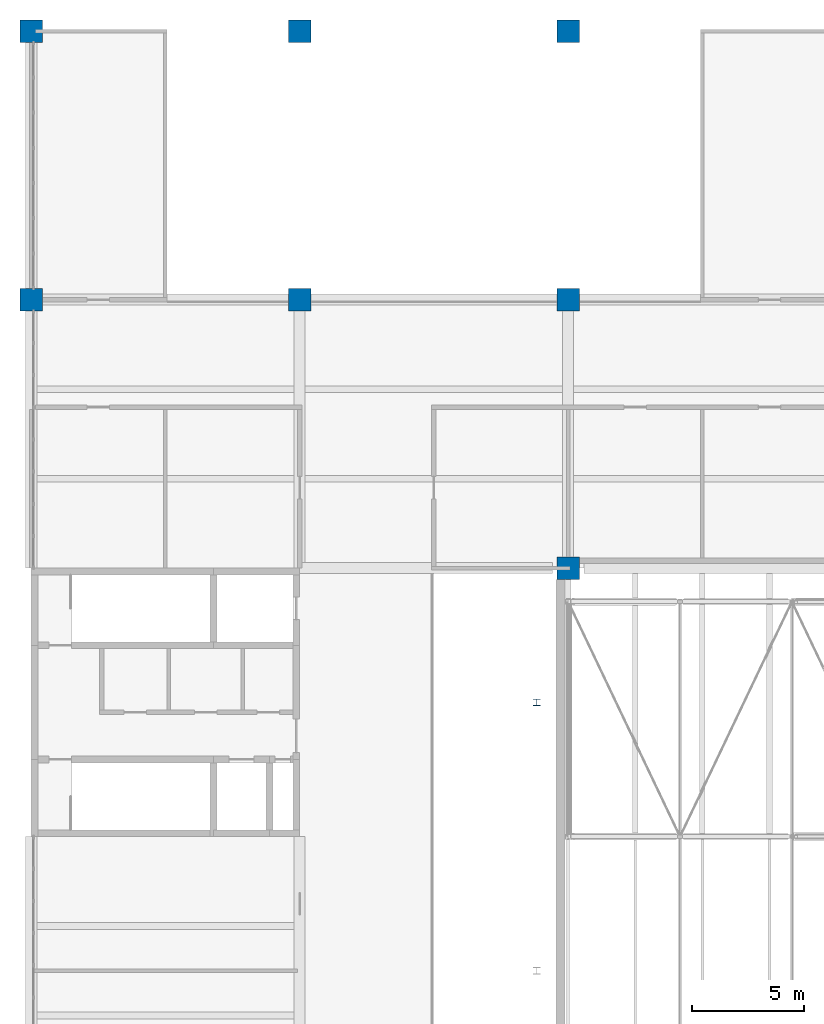
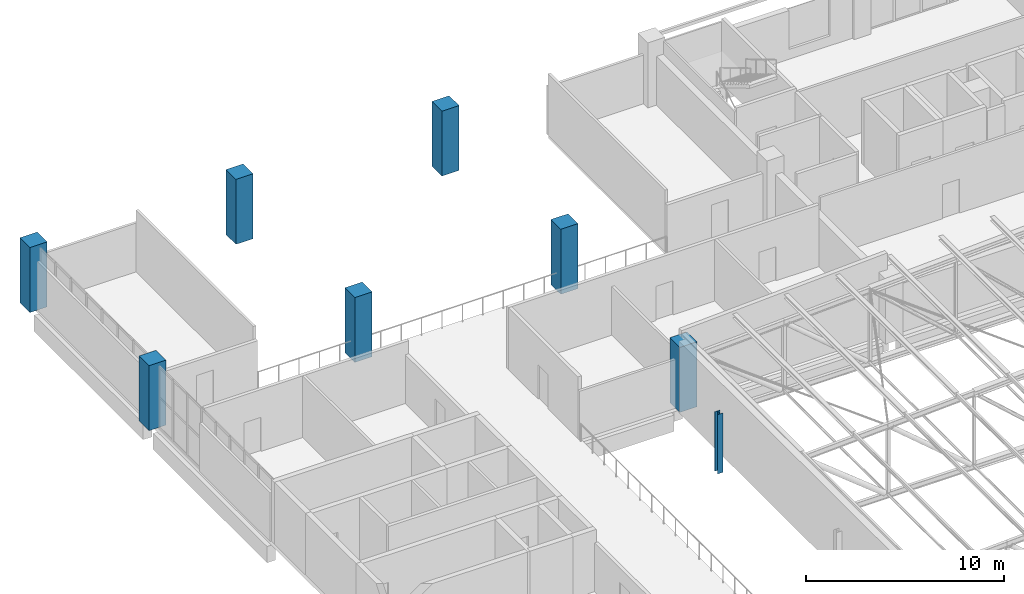
# One storey, part 6 of 156: 8 columns.
"""IFC4 building model written with IfcOpenShell, lengths in metres."""

from ifc_helpers import new_model, si_unit, direction, frame, origin, origin_2d, place, context, subcontext, project, spatial, rectangle, i_section, extrude, material, material_profile, profile_set, type_object, element, save


model = new_model("IFC4")

# Units and contexts
model_context = context("Model", 3, precision=1e-05, world=origin(), true_north=direction((0.0, 1.0)))
body_context = subcontext(model_context, "Body", "Model", "MODEL_VIEW")
ifc_project = project(units=[si_unit("LENGTHUNIT", "METRE"), si_unit("AREAUNIT", "SQUARE_METRE"), si_unit("VOLUMEUNIT", "CUBIC_METRE"), si_unit("PLANEANGLEUNIT", "RADIAN"), si_unit("MASSUNIT", "GRAM", prefix="KILO")], contexts=[model_context])

# Site, building, storey
site_placement = place(None, origin())
site = spatial("IfcSite", under=ifc_project, at=site_placement, CompositionType="ELEMENT")
building_placement = place(site_placement, origin())
building = spatial("IfcBuilding", under=site, at=building_placement, Name="Lilac Gate Convention Centre", CompositionType="ELEMENT")
storey_placement = place(building_placement, frame((0.0, 0.0, 17.0)))
storey = spatial("IfcBuildingStorey", under=building, at=storey_placement, Name="L03", CompositionType="ELEMENT", Elevation=17.0)

# Columns
ifc_material_1 = material(Name="Concrete C40", Category="concrete")
ifc_material_profile_1 = material_profile(ifc_material_1, rectangle(XDim=1.0, YDim=1.0, at=origin_2d()), Name="RC 1000x1000")
ifc_profile_set_1 = profile_set([ifc_material_profile_1], Name="Concrete C40")
column_type_1 = type_object("IfcColumnType", Name="RC column 1000x1000 C40", PredefinedType="COLUMN", material=ifc_profile_set_1)
for number, where, z_axis, x_axis, name in (
    (1, (6.0, 234.0, 0.0), (0.0, 0.0, 1.0), (1.0, 0.0, 0.0), "C1 L03 at 1/T"),
    (2, (6.0, 246.0, 0.0), (0.0, 0.0, 1.0), (1.0, 0.0, 0.0), "C1 L03 at 1/U"),
    (3, (18.0, 234.0, 0.0), (0.0, 0.0, 1.0), (1.0, 0.0, 0.0), "C1 L03 at 2/T"),
    (4, (18.0, 246.0, 0.0), (0.0, 0.0, 1.0), (1.0, 0.0, 0.0), "C1 L03 at 2/U"),
    (5, (30.0, 222.0, 0.0), (0.0, 0.0, 1.0), (1.0, 0.0, 0.0), "C1 L03 at 3/S"),
    (6, (30.0, 234.0, 0.0), (0.0, 0.0, 1.0), (1.0, 0.0, 0.0), "C1 L03 at 3/T"),
    (7, (30.0, 246.0, 0.0), (0.0, 0.0, 1.0), (1.0, 0.0, 0.0), "C1 L03 at 3/U"),
):
    element("IfcColumn", number, at=place(storey_placement, frame(where, z_axis=z_axis, x_axis=x_axis)), inside=storey, type_object=column_type_1, Name=name, PredefinedType="COLUMN", context=body_context, shape_type="SweptSolid", body=[
        extrude(rectangle(XDim=1.0, YDim=1.0, at=origin_2d()), origin(), (0.0, 0.0, 1.0), 4.0),
    ])
ifc_material_2 = material(Name="Steel Q355B", Category="steel")
ifc_material_profile_2 = material_profile(ifc_material_2, i_section(OverallWidth=0.300048828125, OverallDepth=0.300048828125, WebThickness=0.010009765625, FlangeThickness=0.014892578125, FilletRadius=0.012939453125, at=origin_2d()), Name="HW300x300x10x15")
ifc_profile_set_2 = profile_set([ifc_material_profile_2], Name="Steel Q355B")
column_type_2 = type_object("IfcColumnType", Name="Steel column HW300x300x10x15", PredefinedType="COLUMN", material=ifc_profile_set_2)
column_placement = place(storey_placement, frame((28.60009765625, 216.0, 0.0), z_axis=(0.0, 0.0, 1.0), x_axis=(1.0, 0.0, 0.0)))
element("IfcColumn", 8, at=column_placement, inside=storey, type_object=column_type_2, Name="SC1 L03 atrium column at 216", PredefinedType="COLUMN", context=body_context, shape_type="SweptSolid", body=[
    extrude(i_section(OverallWidth=0.300048828125, OverallDepth=0.300048828125, WebThickness=0.010009765625, FlangeThickness=0.014892578125, FilletRadius=0.012939453125, at=origin_2d()), origin(), (0.0, 0.0, 1.0), 3.659912109375),
])

save(model, "model.ifc")
